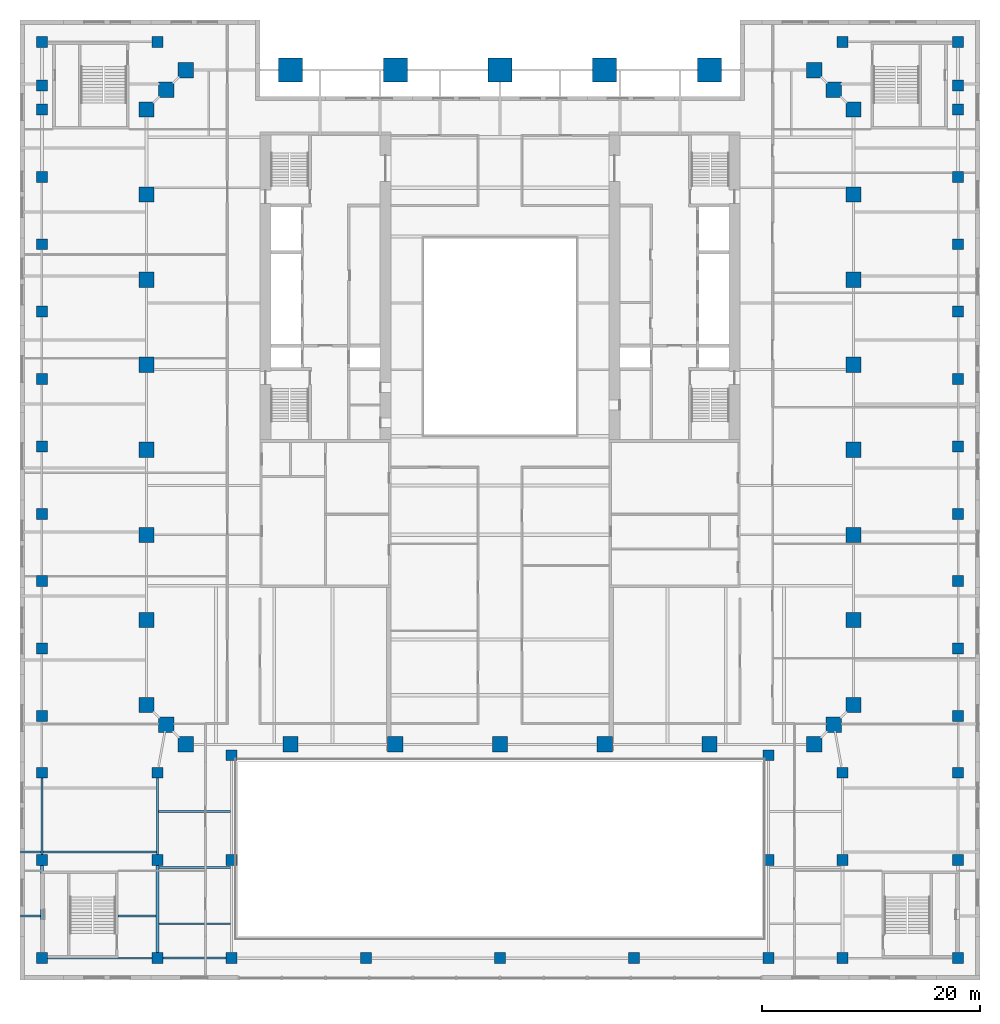
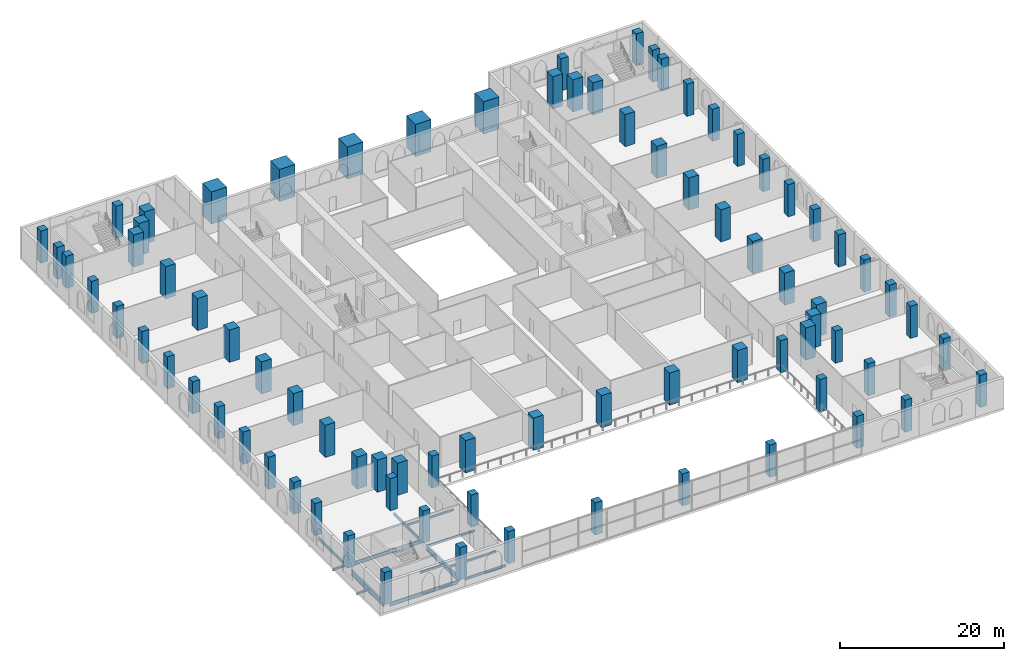
# One storey, part 1 of 19: 81 columns, 13 beams.
"""IFC4 building model written with IfcOpenShell, lengths in metres."""

import ifcopenshell
import ifcopenshell.guid

model = None  # the IFC model being written
_history = None  # IfcOwnerHistory: only IFC2X3 demands one
_inside = {}  # id of a spatial element -> (the spatial element, [elements in it])
_under = {}  # id of a project, library or spatial element -> (it, [spatial elements below it])
_declared = {}  # id of a project -> (the project, [libraries it declares])
_typed = {}  # id of a type object -> (the type object, [elements of that type])
_made_of = {}  # id of a material, layer set ... -> (it, [elements and type objects made of it])


def new_model(schema):
    """Start an empty IFC model of exactly this schema.

    Asked for "IFC4X3", IfcOpenShell would pick the latest addendum, in which some entities
    have other attributes; the version numbers below select the first issue.
    IFC2X3 requires an IfcOwnerHistory on every rooted entity: one is made here for all.
    """
    global model, _history
    if schema == "IFC4X3":
        model = ifcopenshell.file(schema_version=(4, 3, 0, 0))
    else:
        model = ifcopenshell.file(schema=schema)
    _inside.clear()
    _under.clear()
    _declared.clear()
    _typed.clear()
    _made_of.clear()
    _history = None
    if model.schema == "IFC2X3":
        org = make("IfcOrganization", Name="unknown")
        user = make(
            "IfcPersonAndOrganization",
            ThePerson=make("IfcPerson", FamilyName="unknown"),
            TheOrganization=org,
        )
        app = make(
            "IfcApplication",
            ApplicationDeveloper=org,
            Version="unknown",
            ApplicationFullName="unknown",
            ApplicationIdentifier="unknown",
        )
        _history = make(
            "IfcOwnerHistory",
            OwningUser=user,
            OwningApplication=app,
            ChangeAction="ADDED",
            CreationDate=0,
        )
    return model


def make(cls, **values):
    """One entity of the class cls with the attributes given. An attribute that is None is left unset."""
    return model.create_entity(
        cls, **{name: value for name, value in values.items() if value is not None}
    )


def rooted(cls, **values):
    """An entity with a GlobalId (a new one), such as an element, a storey or a relation."""
    return make(cls, GlobalId=ifcopenshell.guid.new(), OwnerHistory=_history, **values)


def si_unit(unit_type, name, prefix=None):
    """IfcSIUnit, for example si_unit("LENGTHUNIT", "METRE", prefix="MILLI")."""
    return make("IfcSIUnit", UnitType=unit_type, Prefix=prefix, Name=name)


def assignment(units):
    """IfcUnitAssignment: the units of a project."""
    return None if units is None else make("IfcUnitAssignment", Units=units)


def point(xyz):
    """IfcCartesianPoint."""
    return None if xyz is None else make("IfcCartesianPoint", Coordinates=xyz)


def direction(xyz):
    """IfcDirection."""
    return None if xyz is None else make("IfcDirection", DirectionRatios=xyz)


def frame(location, z_axis=None, x_axis=None):
    """IfcAxis2Placement3D, a coordinate frame: its origin and axes. An axis left out is left unset."""
    return make(
        "IfcAxis2Placement3D",
        Location=point(location),
        Axis=direction(z_axis),
        RefDirection=direction(x_axis),
    )


def frame_2d(location, x_axis=None):
    """IfcAxis2Placement2D, a coordinate frame in the plane: its origin and x axis."""
    return make(
        "IfcAxis2Placement2D", Location=point(location), RefDirection=direction(x_axis)
    )


def origin():
    """The frame at (0, 0, 0) with its axes left unset."""
    return frame((0.0, 0.0, 0.0))


def origin_2d():
    """The frame at (0, 0) in the plane with its x axis left unset."""
    return frame_2d((0.0, 0.0))


def place(relative_to, where):
    """IfcLocalPlacement: puts the frame where relative to a parent placement (None: the world)."""
    return make(
        "IfcLocalPlacement", PlacementRelTo=relative_to, RelativePlacement=where
    )


def context(
    kind, dimensions, precision=None, world=None, true_north=None, identifier=None
):
    """IfcGeometricRepresentationContext, for example the 3D "Model" context."""
    return make(
        "IfcGeometricRepresentationContext",
        ContextIdentifier=identifier,
        ContextType=kind,
        CoordinateSpaceDimension=dimensions,
        Precision=precision,
        WorldCoordinateSystem=world,
        TrueNorth=true_north,
    )


def subcontext(parent, identifier, kind, view, scale=None):
    """IfcGeometricRepresentationSubContext, for example "Body" below "Model"."""
    return make(
        "IfcGeometricRepresentationSubContext",
        ContextIdentifier=identifier,
        ContextType=kind,
        ParentContext=parent,
        TargetScale=scale,
        TargetView=view,
    )


def project(units=None, contexts=None):
    """IfcProject with its units and contexts."""
    return rooted(
        "IfcProject",
        Name="project",
        RepresentationContexts=contexts,
        UnitsInContext=assignment(units),
    )


def spatial(cls, under=None, at=None, **own):
    """A site, building, storey or space (cls), placed at a placement, below another one or the project."""
    s = rooted(cls, ObjectPlacement=at, **own)
    if under is not None:
        _under.setdefault(under.id(), (under, []))[1].append(s)
    return s


def profile(cls, at=None, kind="AREA", **sizes):
    """A parametric profile (cls). Its sizes go by their IFC names, for example OverallWidth=200.0."""
    return make(cls, ProfileType=kind, Position=at, **sizes)


def rectangle(**sizes):
    """IfcRectangleProfileDef."""
    return profile("IfcRectangleProfileDef", **sizes)


def i_section(**sizes):
    """IfcIShapeProfileDef."""
    return profile("IfcIShapeProfileDef", **sizes)


def extrude(swept, where, along, depth):
    """IfcExtrudedAreaSolid: the profile swept, set in the frame where, extruded along a direction by depth."""
    return make(
        "IfcExtrudedAreaSolid",
        SweptArea=swept,
        Position=where,
        ExtrudedDirection=direction(along),
        Depth=depth,
    )


def shape(context_of_items, identifier, shape_type, items):
    """IfcShapeRepresentation: the items that make up one representation, for example the "Body"."""
    return make(
        "IfcShapeRepresentation",
        ContextOfItems=context_of_items,
        RepresentationIdentifier=identifier,
        RepresentationType=shape_type,
        Items=items,
    )


def material(Name=None, Category=None):
    """IfcMaterial."""
    return make("IfcMaterial", Name=Name, Category=Category)


def material_profile(
    of_material, cross_section, Name=None, Category=None, Priority=None
):
    """IfcMaterialProfile: a cross section and its material."""
    return make(
        "IfcMaterialProfile",
        Name=Name,
        Material=of_material,
        Profile=cross_section,
        Priority=Priority,
        Category=Category,
    )


def profile_set(profiles, Name=None, composite=None):
    """IfcMaterialProfileSet."""
    return make(
        "IfcMaterialProfileSet",
        Name=Name,
        MaterialProfiles=profiles,
        CompositeProfile=composite,
    )


def made_of(thing, what):
    """Note that an element or type object is made of a material, layer set ...; save() writes the relation."""
    if what is not None:
        _made_of.setdefault(what.id(), (what, []))[1].append(thing)
    return thing


def type_object(cls, material=None, **own):
    """A type object (cls), such as IfcWallType, which elements share."""
    return made_of(rooted(cls, **own), material)


def element(
    cls,
    number,
    at=None,
    inside=None,
    cuts=None,
    type_object=None,
    material=None,
    context=None,
    identifier="Body",
    shape_type=None,
    held_by="IfcProductDefinitionShape",
    body=None,
    shapes=None,
    **own,
):
    """One element of the class cls, such as IfcWall. Its Tag is "e" and its number.

    at: its placement. inside: the storey or other place that contains it. cuts: it is an
    opening in that element (IfcRelVoidsElement). A single representation is given by context,
    identifier, shape_type and body (its items); several are given by shapes. held_by: the class
    of the entity that holds the representations. save() writes the other relations.
    """
    e = rooted(cls, Tag="e%d" % number, ObjectPlacement=at, **own)
    if body is not None:
        shapes = [shape(context, identifier, shape_type, body)]
    if shapes is not None:
        e.Representation = make(held_by, Representations=shapes)
    if inside is not None:
        _inside.setdefault(inside.id(), (inside, []))[1].append(e)
    if cuts is not None:
        rooted(
            "IfcRelVoidsElement", RelatingBuildingElement=cuts, RelatedOpeningElement=e
        )
    if type_object is not None:
        _typed.setdefault(type_object.id(), (type_object, []))[1].append(e)
    return made_of(e, material)


def aggregate(whole, parts):
    """IfcRelAggregates: a whole, such as a stair, and the parts it consists of."""
    return rooted("IfcRelAggregates", RelatingObject=whole, RelatedObjects=parts)


def save(model, path):
    """Write the relations noted so far, then the file.

    IfcRelAggregates (storeys below a building ...), IfcRelContainedInSpatialStructure (elements
    in a storey), IfcRelDefinesByType, IfcRelAssociatesMaterial and IfcRelDeclares: one each for
    every whole, place, type object, material and project.
    """
    for whole, parts in _under.values():
        aggregate(whole, parts)
    for where, things in _inside.values():
        rooted(
            "IfcRelContainedInSpatialStructure",
            RelatedElements=things,
            RelatingStructure=where,
        )
    for kind, things in _typed.values():
        rooted("IfcRelDefinesByType", RelatedObjects=things, RelatingType=kind)
    for what, things in _made_of.values():
        rooted("IfcRelAssociatesMaterial", RelatedObjects=things, RelatingMaterial=what)
    for by, libraries in _declared.values():
        rooted("IfcRelDeclares", RelatingContext=by, RelatedDefinitions=libraries)
    model.write(path)


model = new_model("IFC4")

# Units and contexts
model_context = context("Model", 3, precision=1e-05, world=origin(), true_north=direction((0.0, 1.0)))
body_context = subcontext(model_context, "Body", "Model", "MODEL_VIEW")
ifc_project = project(units=[si_unit("LENGTHUNIT", "METRE"), si_unit("AREAUNIT", "SQUARE_METRE"), si_unit("VOLUMEUNIT", "CUBIC_METRE"), si_unit("PLANEANGLEUNIT", "RADIAN"), si_unit("MASSUNIT", "GRAM", prefix="KILO")], contexts=[model_context])

# Site, building, storey
site_placement = place(None, origin())
site = spatial("IfcSite", under=ifc_project, at=site_placement, CompositionType="ELEMENT")
building_placement = place(site_placement, origin())
building = spatial("IfcBuilding", under=site, at=building_placement, Name="Ogive Exchange Tower", CompositionType="ELEMENT")
storey_placement = place(building_placement, frame((0.0, 0.0, 24.0)))
storey = spatial("IfcBuildingStorey", under=building, at=storey_placement, Name="L04", CompositionType="ELEMENT", Elevation=24.0)

# Columns
ifc_material_1 = material(Name="Concrete C70/85", Category="concrete")
ifc_material_profile_1 = material_profile(ifc_material_1, rectangle(XDim=1.0, YDim=1.0, at=origin_2d()), Name="RC 1000x1000")
ifc_profile_set_1 = profile_set([ifc_material_profile_1], Name="Concrete C70/85")
column_type_1 = type_object("IfcColumnType", Name="RC column 1000x1000", PredefinedType="COLUMN", material=ifc_profile_set_1)
for number, where, z_axis, x_axis, name in (
    (1, (-42.0, -50.0, 0.0), (0.0, 0.0, 1.0), (1.0, 0.0, 0.0), "Podium column"),
    (2, (-31.39990234375, -50.0, 0.0), (0.0, 0.0, 1.0), (1.0, 0.0, 0.0), "Podium column"),
    (3, (-24.60009765625, -50.0, 0.0), (0.0, 0.0, 1.0), (1.0, 0.0, 0.0), "Podium column"),
    (4, (-12.300048828125, -50.0, 0.0), (0.0, 0.0, 1.0), (1.0, 0.0, 0.0), "Podium column"),
    (5, (0.0, -50.0, 0.0), (0.0, 0.0, 1.0), (1.0, 0.0, 0.0), "Podium column"),
    (6, (12.300048828125, -50.0, 0.0), (0.0, 0.0, 1.0), (1.0, 0.0, 0.0), "Podium column"),
    (7, (24.60009765625, -50.0, 0.0), (0.0, 0.0, 1.0), (1.0, 0.0, 0.0), "Podium column"),
    (8, (31.39990234375, -50.0, 0.0), (0.0, 0.0, 1.0), (1.0, 0.0, 0.0), "Podium column"),
    (9, (42.0, -50.0, 0.0), (0.0, 0.0, 1.0), (1.0, 0.0, 0.0), "Podium column"),
    (10, (-42.0, -41.0, 0.0), (0.0, 0.0, 1.0), (1.0, 0.0, 0.0), "Podium column"),
    (11, (-31.39990234375, -41.0, 0.0), (0.0, 0.0, 1.0), (1.0, 0.0, 0.0), "Podium column"),
    (12, (-24.60009765625, -41.0, 0.0), (0.0, 0.0, 1.0), (1.0, 0.0, 0.0), "Podium column"),
    (13, (24.60009765625, -41.0, 0.0), (0.0, 0.0, 1.0), (1.0, 0.0, 0.0), "Podium column"),
    (14, (31.39990234375, -41.0, 0.0), (0.0, 0.0, 1.0), (1.0, 0.0, 0.0), "Podium column"),
    (15, (42.0, -41.0, 0.0), (0.0, 0.0, 1.0), (1.0, 0.0, 0.0), "Podium column"),
    (16, (-42.0, -33.0, 0.0), (0.0, 0.0, 1.0), (1.0, 0.0, 0.0), "Podium column"),
    (17, (-31.39990234375, -33.0, 0.0), (0.0, 0.0, 1.0), (1.0, 0.0, 0.0), "Podium column"),
    (18, (31.39990234375, -33.0, 0.0), (0.0, 0.0, 1.0), (1.0, 0.0, 0.0), "Podium column"),
    (19, (42.0, -33.0, 0.0), (0.0, 0.0, 1.0), (1.0, 0.0, 0.0), "Podium column"),
    (20, (-24.60009765625, -31.39990234375, 0.0), (0.0, 0.0, 1.0), (1.0, 0.0, 0.0), "Podium column"),
    (21, (24.60009765625, -31.39990234375, 0.0), (0.0, 0.0, 1.0), (1.0, 0.0, 0.0), "Podium column"),
    (22, (-42.0, -27.800048828125, 0.0), (0.0, 0.0, 1.0), (1.0, 0.0, 0.0), "Podium column"),
    (23, (42.0, -27.800048828125, 0.0), (0.0, 0.0, 1.0), (1.0, 0.0, 0.0), "Podium column"),
    (24, (-42.0, -21.6201171875, 0.0), (0.0, 0.0, 1.0), (1.0, 0.0, 0.0), "Podium column"),
    (25, (42.0, -21.6201171875, 0.0), (0.0, 0.0, 1.0), (1.0, 0.0, 0.0), "Podium column"),
    (26, (-42.0, -15.43994140625, 0.0), (0.0, 0.0, 1.0), (1.0, 0.0, 0.0), "Podium column"),
    (27, (42.0, -15.43994140625, 0.0), (0.0, 0.0, 1.0), (1.0, 0.0, 0.0), "Podium column"),
    (28, (-42.0, -9.27001953125, 0.0), (0.0, 0.0, 1.0), (1.0, 0.0, 0.0), "Podium column"),
    (29, (42.0, -9.27001953125, 0.0), (0.0, 0.0, 1.0), (1.0, 0.0, 0.0), "Podium column"),
    (30, (-42.0, -3.090087890625, 0.0), (0.0, 0.0, 1.0), (1.0, 0.0, 0.0), "Podium column"),
    (31, (42.0, -3.090087890625, 0.0), (0.0, 0.0, 1.0), (1.0, 0.0, 0.0), "Podium column"),
    (32, (-42.0, 3.090087890625, 0.0), (0.0, 0.0, 1.0), (1.0, 0.0, 0.0), "Podium column"),
    (33, (42.0, 3.090087890625, 0.0), (0.0, 0.0, 1.0), (1.0, 0.0, 0.0), "Podium column"),
    (34, (-42.0, 9.27001953125, 0.0), (0.0, 0.0, 1.0), (1.0, 0.0, 0.0), "Podium column"),
    (35, (42.0, 9.27001953125, 0.0), (0.0, 0.0, 1.0), (1.0, 0.0, 0.0), "Podium column"),
    (36, (-42.0, 15.43994140625, 0.0), (0.0, 0.0, 1.0), (1.0, 0.0, 0.0), "Podium column"),
    (37, (42.0, 15.43994140625, 0.0), (0.0, 0.0, 1.0), (1.0, 0.0, 0.0), "Podium column"),
    (38, (-42.0, 21.6201171875, 0.0), (0.0, 0.0, 1.0), (1.0, 0.0, 0.0), "Podium column"),
    (39, (42.0, 21.6201171875, 0.0), (0.0, 0.0, 1.0), (1.0, 0.0, 0.0), "Podium column"),
    (40, (-42.0, 27.800048828125, 0.0), (0.0, 0.0, 1.0), (1.0, 0.0, 0.0), "Podium column"),
    (41, (42.0, 27.800048828125, 0.0), (0.0, 0.0, 1.0), (1.0, 0.0, 0.0), "Podium column"),
    (42, (-42.0, 30.0, 0.0), (0.0, 0.0, 1.0), (1.0, 0.0, 0.0), "Podium column"),
    (43, (42.0, 30.0, 0.0), (0.0, 0.0, 1.0), (1.0, 0.0, 0.0), "Podium column"),
    (44, (-42.0, 34.0, 0.0), (0.0, 0.0, 1.0), (1.0, 0.0, 0.0), "Podium column"),
    (45, (-31.39990234375, 34.0, 0.0), (0.0, 0.0, 1.0), (1.0, 0.0, 0.0), "Podium column"),
    (46, (31.39990234375, 34.0, 0.0), (0.0, 0.0, 1.0), (1.0, 0.0, 0.0), "Podium column"),
    (47, (42.0, 34.0, 0.0), (0.0, 0.0, 1.0), (1.0, 0.0, 0.0), "Podium column"),
):
    element("IfcColumn", number, at=place(storey_placement, frame(where, z_axis=z_axis, x_axis=x_axis)), inside=storey, type_object=column_type_1, Name=name, PredefinedType="COLUMN", context=body_context, shape_type="SweptSolid", body=[
        extrude(rectangle(XDim=1.0, YDim=1.0, at=origin_2d()), origin(), (0.0, 0.0, 1.0), 4.800048828125),
    ])
ifc_material_profile_2 = material_profile(ifc_material_1, rectangle(XDim=1.39990234375, YDim=1.39990234375, at=origin_2d()), Name="RC 1400x1400")
ifc_profile_set_2 = profile_set([ifc_material_profile_2], Name="Concrete C70/85")
column_type_2 = type_object("IfcColumnType", Name="RC column 1400x1400", PredefinedType="COLUMN", material=ifc_profile_set_2)
for number, where, z_axis, x_axis, name in (
    (48, (-28.800048828125, -30.39990234375, 0.0), (0.0, 0.0, 1.0), (1.0, 0.0, 0.0), "Leg column"),
    (49, (-19.199951171875, -30.39990234375, 0.0), (0.0, 0.0, 1.0), (1.0, 0.0, 0.0), "Leg column"),
    (50, (-9.60009765625, -30.39990234375, 0.0), (0.0, 0.0, 1.0), (1.0, 0.0, 0.0), "Leg column"),
    (51, (0.0, -30.39990234375, 0.0), (0.0, 0.0, 1.0), (1.0, 0.0, 0.0), "Leg column"),
    (52, (9.60009765625, -30.39990234375, 0.0), (0.0, 0.0, 1.0), (1.0, 0.0, 0.0), "Leg column"),
    (53, (19.199951171875, -30.39990234375, 0.0), (0.0, 0.0, 1.0), (1.0, 0.0, 0.0), "Leg column"),
    (54, (28.800048828125, -30.39990234375, 0.0), (0.0, 0.0, 1.0), (1.0, 0.0, 0.0), "Leg column"),
    (55, (-30.60009765625, -28.60009765625, 0.0), (0.0, 0.0, 1.0), (1.0, 0.0, 0.0), "Leg column"),
    (56, (30.60009765625, -28.60009765625, 0.0), (0.0, 0.0, 1.0), (1.0, 0.0, 0.0), "Leg column"),
    (57, (-32.39990234375, -26.800048828125, 0.0), (0.0, 0.0, 1.0), (1.0, 0.0, 0.0), "Leg column"),
    (58, (32.39990234375, -26.800048828125, 0.0), (0.0, 0.0, 1.0), (1.0, 0.0, 0.0), "Leg column"),
    (59, (-32.39990234375, -19.0, 0.0), (0.0, 0.0, 1.0), (1.0, 0.0, 0.0), "Leg column"),
    (60, (32.39990234375, -19.0, 0.0), (0.0, 0.0, 1.0), (1.0, 0.0, 0.0), "Leg column"),
    (61, (-32.39990234375, -11.199951171875, 0.0), (0.0, 0.0, 1.0), (1.0, 0.0, 0.0), "Leg column"),
    (62, (32.39990234375, -11.199951171875, 0.0), (0.0, 0.0, 1.0), (1.0, 0.0, 0.0), "Leg column"),
    (63, (-32.39990234375, -3.39990234375, 0.0), (0.0, 0.0, 1.0), (1.0, 0.0, 0.0), "Leg column"),
    (64, (32.39990234375, -3.39990234375, 0.0), (0.0, 0.0, 1.0), (1.0, 0.0, 0.0), "Leg column"),
    (65, (-32.39990234375, 4.39990234375, 0.0), (0.0, 0.0, 1.0), (1.0, 0.0, 0.0), "Leg column"),
    (66, (32.39990234375, 4.39990234375, 0.0), (0.0, 0.0, 1.0), (1.0, 0.0, 0.0), "Leg column"),
    (67, (-32.39990234375, 12.199951171875, 0.0), (0.0, 0.0, 1.0), (1.0, 0.0, 0.0), "Leg column"),
    (68, (32.39990234375, 12.199951171875, 0.0), (0.0, 0.0, 1.0), (1.0, 0.0, 0.0), "Leg column"),
    (69, (-32.39990234375, 20.0, 0.0), (0.0, 0.0, 1.0), (1.0, 0.0, 0.0), "Leg column"),
    (70, (32.39990234375, 20.0, 0.0), (0.0, 0.0, 1.0), (1.0, 0.0, 0.0), "Leg column"),
    (71, (-32.39990234375, 27.800048828125, 0.0), (0.0, 0.0, 1.0), (1.0, 0.0, 0.0), "Leg column"),
    (72, (32.39990234375, 27.800048828125, 0.0), (0.0, 0.0, 1.0), (1.0, 0.0, 0.0), "Leg column"),
    (73, (-30.60009765625, 29.60009765625, 0.0), (0.0, 0.0, 1.0), (1.0, 0.0, 0.0), "Leg column"),
    (74, (30.60009765625, 29.60009765625, 0.0), (0.0, 0.0, 1.0), (1.0, 0.0, 0.0), "Leg column"),
    (75, (-28.800048828125, 31.39990234375, 0.0), (0.0, 0.0, 1.0), (1.0, 0.0, 0.0), "Leg column"),
    (76, (28.800048828125, 31.39990234375, 0.0), (0.0, 0.0, 1.0), (1.0, 0.0, 0.0), "Leg column"),
):
    element("IfcColumn", number, at=place(storey_placement, frame(where, z_axis=z_axis, x_axis=x_axis)), inside=storey, type_object=column_type_2, Name=name, PredefinedType="COLUMN", context=body_context, shape_type="SweptSolid", body=[
        extrude(rectangle(XDim=1.39990234375, YDim=1.39990234375, at=origin_2d()), origin(), (0.0, 0.0, 1.0), 4.800048828125),
    ])
ifc_material_profile_3 = material_profile(ifc_material_1, rectangle(XDim=2.199951171875, YDim=2.199951171875, at=origin_2d()), Name="RC 2200x2200")
ifc_profile_set_3 = profile_set([ifc_material_profile_3], Name="Concrete C70/85")
column_type_3 = type_object("IfcColumnType", Name="RC pier 2200x2200", PredefinedType="COLUMN", material=ifc_profile_set_3)
for number, where, z_axis, x_axis, name in (
    (77, (-19.199951171875, 31.39990234375, 0.0), (0.0, 0.0, 1.0), (1.0, 0.0, 0.0), "Entrance pier"),
    (78, (-9.60009765625, 31.39990234375, 0.0), (0.0, 0.0, 1.0), (1.0, 0.0, 0.0), "Entrance pier"),
    (79, (0.0, 31.39990234375, 0.0), (0.0, 0.0, 1.0), (1.0, 0.0, 0.0), "Entrance pier"),
    (80, (9.60009765625, 31.39990234375, 0.0), (0.0, 0.0, 1.0), (1.0, 0.0, 0.0), "Entrance pier"),
    (81, (19.199951171875, 31.39990234375, 0.0), (0.0, 0.0, 1.0), (1.0, 0.0, 0.0), "Entrance pier"),
):
    element("IfcColumn", number, at=place(storey_placement, frame(where, z_axis=z_axis, x_axis=x_axis)), inside=storey, type_object=column_type_3, Name=name, PredefinedType="COLUMN", context=body_context, shape_type="SweptSolid", body=[
        extrude(rectangle(XDim=2.199951171875, YDim=2.199951171875, at=origin_2d()), origin(), (0.0, 0.0, 1.0), 4.800048828125),
    ])

# Beams
ifc_material_2 = material(Name="Steel ASTM A992 Gr50", Category="steel")
ifc_material_profile_4 = material_profile(ifc_material_2, i_section(OverallWidth=0.1650390625, OverallDepth=0.31005859375, WebThickness=0.005859375, FlangeThickness=0.009765625, at=origin_2d()), Name="W310x38.7")
ifc_profile_set_4 = profile_set([ifc_material_profile_4], Name="Steel ASTM A992 Gr50")
beam_type_1 = type_object("IfcBeamType", Name="Floor beam W310x38.7", PredefinedType="JOIST", material=ifc_profile_set_4)
beam_1_placement = place(storey_placement, frame((-43.949951171875, -46.13330078125, -0.455078125), z_axis=(1.0, 0.0, 0.0), x_axis=(0.0, 1.0, 0.0)))
element("IfcBeam", 82, at=beam_1_placement, inside=storey, type_object=beam_type_1, Name="Floor beam", PredefinedType="JOIST", context=body_context, shape_type="SweptSolid", body=[
    extrude(i_section(OverallWidth=0.1650390625, OverallDepth=0.31005859375, WebThickness=0.005859375, FlangeThickness=0.009765625, at=origin_2d()), origin(), (0.0, 0.0, 1.0), 1.81640625),
])
beam_2_placement = place(storey_placement, frame((-35.0, -46.13330078125, -0.455078125), z_axis=(1.0, 0.0, 0.0), x_axis=(0.0, 1.0, 0.0)))
element("IfcBeam", 83, at=beam_2_placement, inside=storey, type_object=beam_type_1, Name="Floor beam", PredefinedType="JOIST", context=body_context, shape_type="SweptSolid", body=[
    extrude(i_section(OverallWidth=0.1650390625, OverallDepth=0.31005859375, WebThickness=0.005859375, FlangeThickness=0.009765625, at=origin_2d()), origin(), (0.0, 0.0, 1.0), 3.466552734375),
])
beam_3_placement = place(storey_placement, frame((-43.949951171875, -40.2666015625, -0.455078125), z_axis=(1.0, 0.0, 0.0), x_axis=(0.0, 1.0, 0.0)))
element("IfcBeam", 84, at=beam_3_placement, inside=storey, type_object=beam_type_1, Name="Floor beam", PredefinedType="JOIST", context=body_context, shape_type="SweptSolid", body=[
    extrude(i_section(OverallWidth=0.1650390625, OverallDepth=0.31005859375, WebThickness=0.005859375, FlangeThickness=0.009765625, at=origin_2d()), origin(), (0.0, 0.0, 1.0), 1.86083984375),
])
for number, where, z_axis, x_axis, name in (
    (85, (-31.2666015625, -46.85009765625, -0.455078125), (1.0, 0.0, 0.0), (0.0, 1.0, 0.0), "Floor beam"),
    (86, (-31.2666015625, -41.699951171875, -0.455078125), (1.0, 0.0, 0.0), (0.0, 1.0, 0.0), "Floor beam"),
):
    element("IfcBeam", number, at=place(storey_placement, frame(where, z_axis=z_axis, x_axis=x_axis)), inside=storey, type_object=beam_type_1, Name=name, PredefinedType="JOIST", context=body_context, shape_type="SweptSolid", body=[
        extrude(i_section(OverallWidth=0.1650390625, OverallDepth=0.31005859375, WebThickness=0.005859375, FlangeThickness=0.009765625, at=origin_2d()), origin(), (0.0, 0.0, 1.0), 6.571044921875),
    ])
beam_4_placement = place(storey_placement, frame((-31.31103515625, -36.550048828125, -0.455078125), z_axis=(1.0, 0.0, 0.0), x_axis=(0.0, 1.0, 0.0)))
element("IfcBeam", 87, at=beam_4_placement, inside=storey, type_object=beam_type_1, Name="Floor beam", PredefinedType="JOIST", context=body_context, shape_type="SweptSolid", body=[
    extrude(i_section(OverallWidth=0.1650390625, OverallDepth=0.31005859375, WebThickness=0.005859375, FlangeThickness=0.009765625, at=origin_2d()), origin(), (0.0, 0.0, 1.0), 6.62744140625),
])
ifc_material_profile_5 = material_profile(ifc_material_2, i_section(OverallWidth=0.1669921875, OverallDepth=0.535888671875, WebThickness=0.01025390625, FlangeThickness=0.0166015625, at=origin_2d()), Name="W530x85")
ifc_profile_set_5 = profile_set([ifc_material_profile_5], Name="Steel ASTM A992 Gr50")
beam_type_2 = type_object("IfcBeamType", Name="Floor beam W530x85", PredefinedType="JOIST", material=ifc_profile_set_5)
beam_5_placement = place(storey_placement, frame((-41.910888671875, -40.2666015625, -0.568115234375), z_axis=(1.0, 0.0, 0.0), x_axis=(0.0, 1.0, 0.0)))
element("IfcBeam", 88, at=beam_5_placement, inside=storey, type_object=beam_type_2, Name="Floor beam", PredefinedType="JOIST", context=body_context, shape_type="SweptSolid", body=[
    extrude(i_section(OverallWidth=0.1669921875, OverallDepth=0.535888671875, WebThickness=0.01025390625, FlangeThickness=0.0166015625, at=origin_2d()), origin(), (0.0, 0.0, 1.0), 10.421875),
])
ifc_material_profile_6 = material_profile(ifc_material_2, i_section(OverallWidth=0.1708984375, OverallDepth=0.35595703125, WebThickness=0.00732421875, FlangeThickness=0.01171875, at=origin_2d()), Name="W360x51")
ifc_profile_set_6 = profile_set([ifc_material_profile_6], Name="Steel ASTM A992 Gr50")
beam_type_3 = type_object("IfcBeamType", Name="Girder W360x51", PredefinedType="BEAM", material=ifc_profile_set_6)
beam_6_placement = place(storey_placement, frame((-30.89990234375, -50.0, -0.47802734375), z_axis=(1.0, 0.0, 0.0), x_axis=(0.0, 1.0, 0.0)))
element("IfcBeam", 89, at=beam_6_placement, inside=storey, type_object=beam_type_3, Name="Girder", PredefinedType="BEAM", context=body_context, shape_type="SweptSolid", body=[
    extrude(i_section(OverallWidth=0.1708984375, OverallDepth=0.35595703125, WebThickness=0.00732421875, FlangeThickness=0.01171875, at=origin_2d()), origin(), (0.0, 0.0, 1.0), 5.7998046875),
])
ifc_material_profile_7 = material_profile(ifc_material_2, i_section(OverallWidth=0.177978515625, OverallDepth=0.406005859375, WebThickness=0.0078125, FlangeThickness=0.0126953125, at=origin_2d()), Name="W410x60")
ifc_profile_set_7 = profile_set([ifc_material_profile_7], Name="Steel ASTM A992 Gr50")
beam_type_4 = type_object("IfcBeamType", Name="Girder W410x60", PredefinedType="BEAM", material=ifc_profile_set_7)
for number, where, z_axis, x_axis, name in (
    (90, (-31.39990234375, -40.5, -0.5029296875), (0.0, 1.0, 0.0), (-1.0, 0.0, 0.0), "Girder"),
    (91, (-42.0, -40.5, -0.5029296875), (0.0, 1.0, 0.0), (-1.0, 0.0, 0.0), "Girder"),
):
    element("IfcBeam", number, at=place(storey_placement, frame(where, z_axis=z_axis, x_axis=x_axis)), inside=storey, type_object=beam_type_4, Name=name, PredefinedType="BEAM", context=body_context, shape_type="SweptSolid", body=[
        extrude(i_section(OverallWidth=0.177978515625, OverallDepth=0.406005859375, WebThickness=0.0078125, FlangeThickness=0.0126953125, at=origin_2d()), origin(), (0.0, 0.0, 1.0), 7.0),
    ])
ifc_material_profile_8 = material_profile(ifc_material_2, i_section(OverallWidth=0.1669921875, OverallDepth=0.535888671875, WebThickness=0.01025390625, FlangeThickness=0.0166015625, at=origin_2d()), Name="W530x85")
ifc_profile_set_8 = profile_set([ifc_material_profile_8], Name="Steel ASTM A992 Gr50")
beam_type_5 = type_object("IfcBeamType", Name="Girder W530x85", PredefinedType="BEAM", material=ifc_profile_set_8)
beam_7_placement = place(storey_placement, frame((-41.5, -50.0, -0.568115234375), z_axis=(1.0, 0.0, 0.0), x_axis=(0.0, 1.0, 0.0)))
element("IfcBeam", 92, at=beam_7_placement, inside=storey, type_object=beam_type_5, Name="Girder", PredefinedType="BEAM", context=body_context, shape_type="SweptSolid", body=[
    extrude(i_section(OverallWidth=0.1669921875, OverallDepth=0.535888671875, WebThickness=0.01025390625, FlangeThickness=0.0166015625, at=origin_2d()), origin(), (0.0, 0.0, 1.0), 9.60009765625),
])
ifc_material_profile_9 = material_profile(ifc_material_2, i_section(OverallWidth=0.26708984375, OverallDepth=0.75390625, WebThickness=0.01318359375, FlangeThickness=0.01708984375, at=origin_2d()), Name="W760x147")
ifc_profile_set_9 = profile_set([ifc_material_profile_9], Name="Steel ASTM A992 Gr50")
beam_type_6 = type_object("IfcBeamType", Name="Girder W760x147", PredefinedType="BEAM", material=ifc_profile_set_9)
for number, where, z_axis, x_axis, name in (
    (93, (-31.39990234375, -49.5, -0.677001953125), (0.0, 1.0, 0.0), (-1.0, 0.0, 0.0), "Girder"),
    (94, (-42.0, -49.5, -0.677001953125), (0.0, 1.0, 0.0), (-1.0, 0.0, 0.0), "Girder"),
):
    element("IfcBeam", number, at=place(storey_placement, frame(where, z_axis=z_axis, x_axis=x_axis)), inside=storey, type_object=beam_type_6, Name=name, PredefinedType="BEAM", context=body_context, shape_type="SweptSolid", body=[
        extrude(i_section(OverallWidth=0.26708984375, OverallDepth=0.75390625, WebThickness=0.01318359375, FlangeThickness=0.01708984375, at=origin_2d()), origin(), (0.0, 0.0, 1.0), 8.0),
    ])

save(model, "model.ifc")
